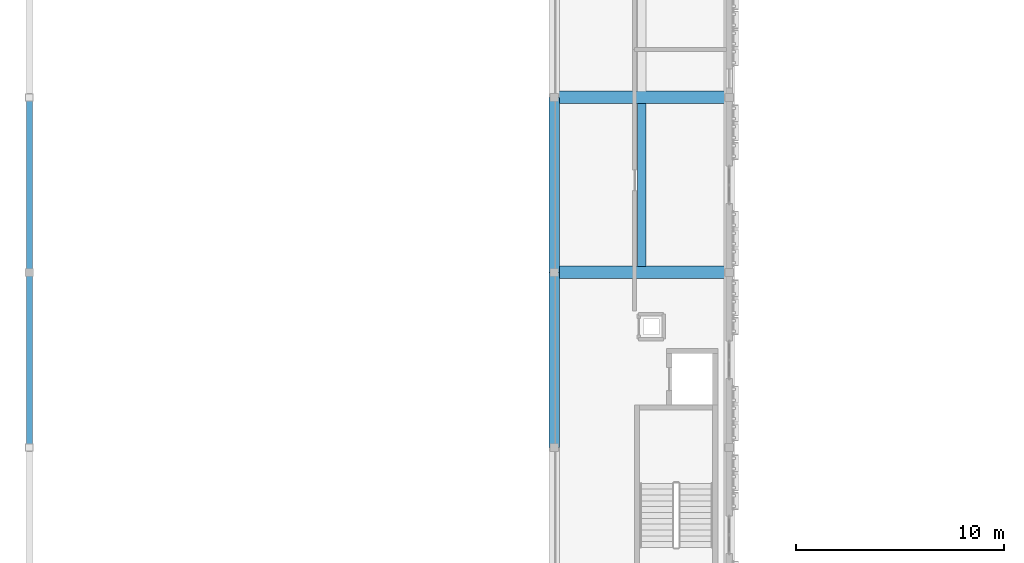
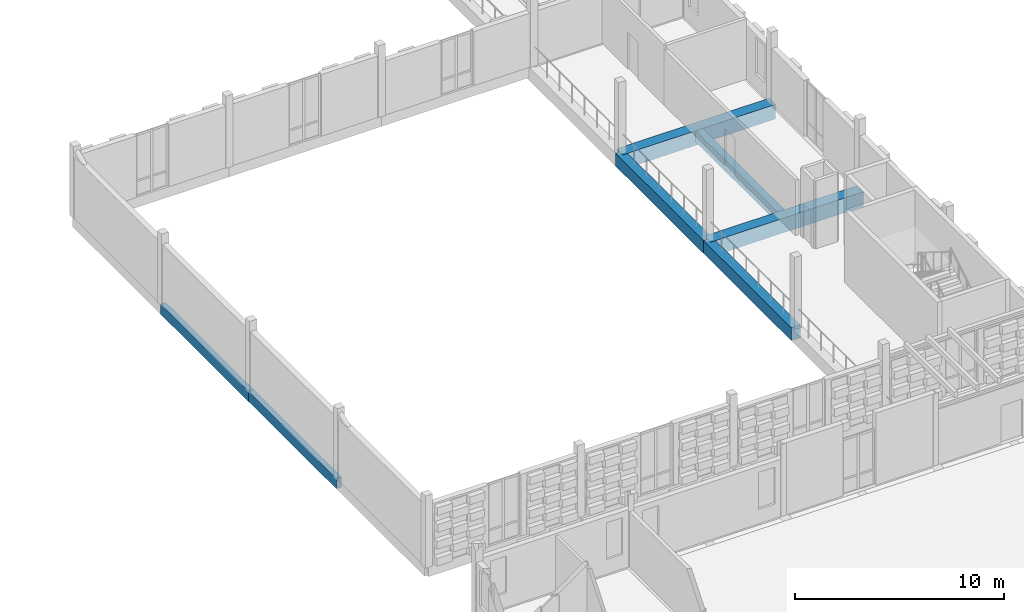
# One storey, part 19 of 99: 7 beams.
"""IFC4 building model written with IfcOpenShell, lengths in metres."""

from ifc_helpers import new_model, si_unit, direction, frame, origin, origin_2d, place, context, subcontext, project, spatial, rectangle, extrude, material, material_profile, profile_set, type_object, element, save


model = new_model("IFC4")

# Units and contexts
model_context = context("Model", 3, precision=1e-05, world=origin(), true_north=direction((0.0, 1.0)))
body_context = subcontext(model_context, "Body", "Model", "MODEL_VIEW")
ifc_project = project(units=[si_unit("LENGTHUNIT", "METRE"), si_unit("AREAUNIT", "SQUARE_METRE"), si_unit("VOLUMEUNIT", "CUBIC_METRE"), si_unit("PLANEANGLEUNIT", "RADIAN"), si_unit("MASSUNIT", "GRAM", prefix="KILO")], contexts=[model_context])

# Site, building, storey
site_placement = place(None, origin())
site = spatial("IfcSite", under=ifc_project, at=site_placement, CompositionType="ELEMENT")
building_placement = place(site_placement, origin())
building = spatial("IfcBuilding", under=site, at=building_placement, Name="Kahlenmark Community Centre", CompositionType="ELEMENT")
storey_placement = place(building_placement, frame((0.0, 0.0, 5.39990234375)))
storey = spatial("IfcBuildingStorey", under=building, at=storey_placement, Name="L01", CompositionType="ELEMENT", Elevation=5.39990234375)

# Beams
ifc_material_1 = material(Name="Concrete C35/45", Category="concrete")
ifc_material_profile_1 = material_profile(ifc_material_1, rectangle(XDim=0.60009765625, YDim=0.85009765625, at=origin_2d()), Name="RC 600x850")
ifc_profile_set_1 = profile_set([ifc_material_profile_1], Name="Concrete C35/45")
beam_type_1 = type_object("IfcBeamType", Name="BT-BEAM-RC600x850", PredefinedType="BEAM", material=ifc_profile_set_1)
for number, where, z_axis, x_axis, name in (
    (1, (29.199951171875, 59.199951171875, -0.4248046875), (1.0, 0.0, 0.0), (0.0, 1.0, 0.0), "L01 beam BG-RC600x850"),
    (2, (29.199951171875, 67.60009765625, -0.4248046875), (1.0, 0.0, 0.0), (0.0, 1.0, 0.0), "L01 beam BG-RC600x850"),
):
    element("IfcBeam", number, at=place(storey_placement, frame(where, z_axis=z_axis, x_axis=x_axis)), inside=storey, type_object=beam_type_1, Name=name, PredefinedType="BEAM", context=body_context, shape_type="SweptSolid", body=[
        extrude(rectangle(XDim=0.60009765625, YDim=0.85009765625, at=origin_2d()), origin(), (0.0, 0.0, 1.0), 8.400146484375),
    ])
ifc_material_profile_2 = material_profile(ifc_material_1, rectangle(XDim=0.39990234375, YDim=0.64990234375, at=origin_2d()), Name="RC 400x650")
ifc_profile_set_2 = profile_set([ifc_material_profile_2], Name="Concrete C35/45")
beam_type_2 = type_object("IfcBeamType", Name="BT-JOIST-RC400x650", PredefinedType="JOIST", material=ifc_profile_set_2)
beam_1_placement = place(storey_placement, frame((33.39990234375, 59.498046875, -0.324951171875), z_axis=(0.0, 1.0, 0.0), x_axis=(-1.0, 0.0, 0.0)))
element("IfcBeam", 3, at=beam_1_placement, inside=storey, type_object=beam_type_2, Name="L01 joist BJ-RC400x650", PredefinedType="JOIST", context=body_context, shape_type="SweptSolid", body=[
    extrude(rectangle(XDim=0.39990234375, YDim=0.64990234375, at=origin_2d()), origin(), (0.0, 0.0, 1.0), 7.803955078125),
])
ifc_material_2 = material(Name="Glulam GL32h", Category="wood")
ifc_material_profile_3 = material_profile(ifc_material_2, rectangle(XDim=0.280029296875, YDim=0.60009765625, at=origin_2d()), Name="GL32h 280x600")
ifc_profile_set_3 = profile_set([ifc_material_profile_3], Name="Glulam GL32h")
beam_type_3 = type_object("IfcBeamType", Name="BT-SPANDREL-GL32h280x600", PredefinedType="SPANDREL", material=ifc_profile_set_3)
beam_2_placement = place(storey_placement, frame((4.0, 50.800048828125, -0.2998046875), z_axis=(0.0, 1.0, 0.0), x_axis=(-1.0, 0.0, 0.0)))
element("IfcBeam", 4, at=beam_2_placement, inside=storey, type_object=beam_type_3, Name="L01 spandrel SP-GL32h280x600", PredefinedType="SPANDREL", context=body_context, shape_type="SweptSolid", body=[
    extrude(rectangle(XDim=0.280029296875, YDim=0.60009765625, at=origin_2d()), origin(), (0.0, 0.0, 1.0), 8.39990234375),
])
beam_3_placement = place(storey_placement, frame((4.0, 59.199951171875, -0.2998046875), z_axis=(0.0, 1.0, 0.0), x_axis=(-1.0, 0.0, 0.0)))
element("IfcBeam", 5, at=beam_3_placement, inside=storey, type_object=beam_type_3, Name="L01 spandrel SP-GL32h280x600", PredefinedType="SPANDREL", context=body_context, shape_type="SweptSolid", body=[
    extrude(rectangle(XDim=0.280029296875, YDim=0.60009765625, at=origin_2d()), origin(), (0.0, 0.0, 1.0), 8.400146484375),
])
ifc_material_profile_4 = material_profile(ifc_material_1, rectangle(XDim=0.5, YDim=0.75, at=origin_2d()), Name="RC 500x750")
ifc_profile_set_4 = profile_set([ifc_material_profile_4], Name="Concrete C35/45")
beam_type_4 = type_object("IfcBeamType", Name="BT-SPANDREL-RC500x750", PredefinedType="SPANDREL", material=ifc_profile_set_4)
beam_4_placement = place(storey_placement, frame((29.199951171875, 50.800048828125, -0.375), z_axis=(0.0, 1.0, 0.0), x_axis=(-1.0, 0.0, 0.0)))
element("IfcBeam", 6, at=beam_4_placement, inside=storey, type_object=beam_type_4, Name="L01 spandrel SP-RC500x750", PredefinedType="SPANDREL", context=body_context, shape_type="SweptSolid", body=[
    extrude(rectangle(XDim=0.5, YDim=0.75, at=origin_2d()), origin(), (0.0, 0.0, 1.0), 8.39990234375),
])
beam_5_placement = place(storey_placement, frame((29.199951171875, 59.199951171875, -0.375), z_axis=(0.0, 1.0, 0.0), x_axis=(-1.0, 0.0, 0.0)))
element("IfcBeam", 7, at=beam_5_placement, inside=storey, type_object=beam_type_4, Name="L01 spandrel SP-RC500x750", PredefinedType="SPANDREL", context=body_context, shape_type="SweptSolid", body=[
    extrude(rectangle(XDim=0.5, YDim=0.75, at=origin_2d()), origin(), (0.0, 0.0, 1.0), 8.400146484375),
])

save(model, "model.ifc")
